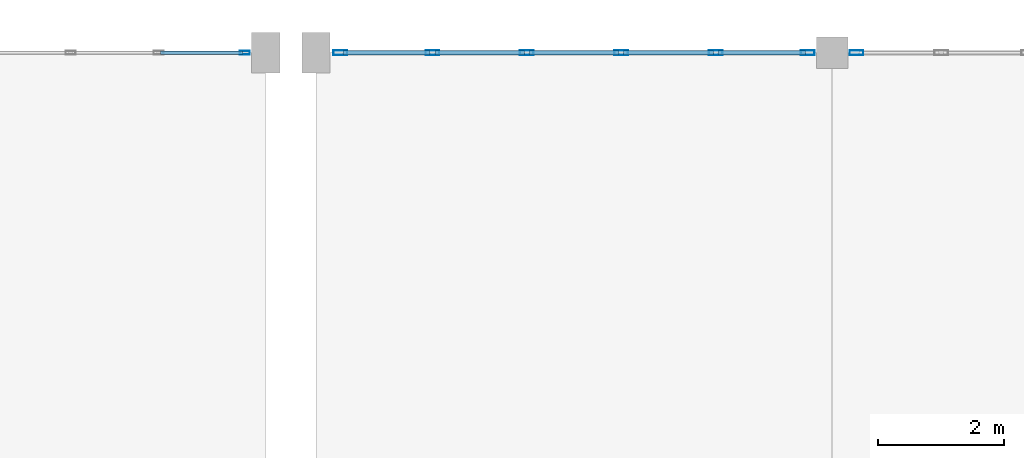
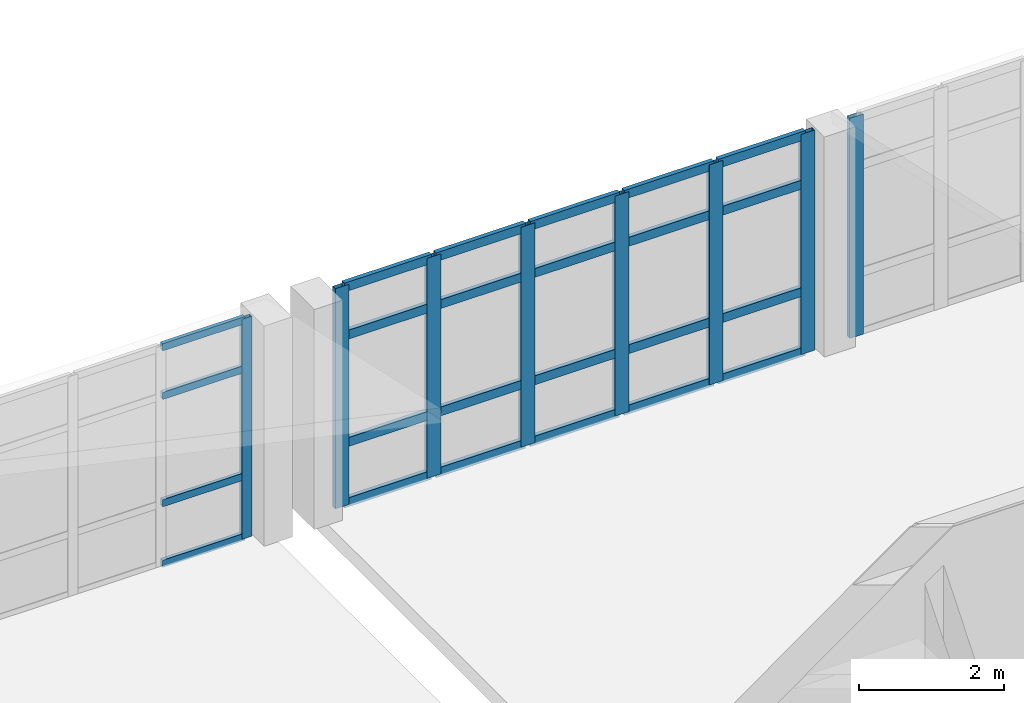
# One storey, part 54 of 156: 32 members, 3 elements without a shape of their own.
"""IFC4 building model written with IfcOpenShell, lengths in metres."""

import ifcopenshell
import ifcopenshell.guid

model = None  # the IFC model being written
_history = None  # IfcOwnerHistory: only IFC2X3 demands one
_inside = {}  # id of a spatial element -> (the spatial element, [elements in it])
_under = {}  # id of a project, library or spatial element -> (it, [spatial elements below it])
_declared = {}  # id of a project -> (the project, [libraries it declares])
_typed = {}  # id of a type object -> (the type object, [elements of that type])
_made_of = {}  # id of a material, layer set ... -> (it, [elements and type objects made of it])


def new_model(schema):
    """Start an empty IFC model of exactly this schema.

    Asked for "IFC4X3", IfcOpenShell would pick the latest addendum, in which some entities
    have other attributes; the version numbers below select the first issue.
    IFC2X3 requires an IfcOwnerHistory on every rooted entity: one is made here for all.
    """
    global model, _history
    if schema == "IFC4X3":
        model = ifcopenshell.file(schema_version=(4, 3, 0, 0))
    else:
        model = ifcopenshell.file(schema=schema)
    _inside.clear()
    _under.clear()
    _declared.clear()
    _typed.clear()
    _made_of.clear()
    _history = None
    if model.schema == "IFC2X3":
        org = make("IfcOrganization", Name="unknown")
        user = make(
            "IfcPersonAndOrganization",
            ThePerson=make("IfcPerson", FamilyName="unknown"),
            TheOrganization=org,
        )
        app = make(
            "IfcApplication",
            ApplicationDeveloper=org,
            Version="unknown",
            ApplicationFullName="unknown",
            ApplicationIdentifier="unknown",
        )
        _history = make(
            "IfcOwnerHistory",
            OwningUser=user,
            OwningApplication=app,
            ChangeAction="ADDED",
            CreationDate=0,
        )
    return model


def make(cls, **values):
    """One entity of the class cls with the attributes given. An attribute that is None is left unset."""
    return model.create_entity(
        cls, **{name: value for name, value in values.items() if value is not None}
    )


def rooted(cls, **values):
    """An entity with a GlobalId (a new one), such as an element, a storey or a relation."""
    return make(cls, GlobalId=ifcopenshell.guid.new(), OwnerHistory=_history, **values)


def si_unit(unit_type, name, prefix=None):
    """IfcSIUnit, for example si_unit("LENGTHUNIT", "METRE", prefix="MILLI")."""
    return make("IfcSIUnit", UnitType=unit_type, Prefix=prefix, Name=name)


def assignment(units):
    """IfcUnitAssignment: the units of a project."""
    return None if units is None else make("IfcUnitAssignment", Units=units)


def point(xyz):
    """IfcCartesianPoint."""
    return None if xyz is None else make("IfcCartesianPoint", Coordinates=xyz)


def direction(xyz):
    """IfcDirection."""
    return None if xyz is None else make("IfcDirection", DirectionRatios=xyz)


def frame(location, z_axis=None, x_axis=None):
    """IfcAxis2Placement3D, a coordinate frame: its origin and axes. An axis left out is left unset."""
    return make(
        "IfcAxis2Placement3D",
        Location=point(location),
        Axis=direction(z_axis),
        RefDirection=direction(x_axis),
    )


def frame_2d(location, x_axis=None):
    """IfcAxis2Placement2D, a coordinate frame in the plane: its origin and x axis."""
    return make(
        "IfcAxis2Placement2D", Location=point(location), RefDirection=direction(x_axis)
    )


def origin():
    """The frame at (0, 0, 0) with its axes left unset."""
    return frame((0.0, 0.0, 0.0))


def origin_2d():
    """The frame at (0, 0) in the plane with its x axis left unset."""
    return frame_2d((0.0, 0.0))


def place(relative_to, where):
    """IfcLocalPlacement: puts the frame where relative to a parent placement (None: the world)."""
    return make(
        "IfcLocalPlacement", PlacementRelTo=relative_to, RelativePlacement=where
    )


def context(
    kind, dimensions, precision=None, world=None, true_north=None, identifier=None
):
    """IfcGeometricRepresentationContext, for example the 3D "Model" context."""
    return make(
        "IfcGeometricRepresentationContext",
        ContextIdentifier=identifier,
        ContextType=kind,
        CoordinateSpaceDimension=dimensions,
        Precision=precision,
        WorldCoordinateSystem=world,
        TrueNorth=true_north,
    )


def subcontext(parent, identifier, kind, view, scale=None):
    """IfcGeometricRepresentationSubContext, for example "Body" below "Model"."""
    return make(
        "IfcGeometricRepresentationSubContext",
        ContextIdentifier=identifier,
        ContextType=kind,
        ParentContext=parent,
        TargetScale=scale,
        TargetView=view,
    )


def project(units=None, contexts=None):
    """IfcProject with its units and contexts."""
    return rooted(
        "IfcProject",
        Name="project",
        RepresentationContexts=contexts,
        UnitsInContext=assignment(units),
    )


def spatial(cls, under=None, at=None, **own):
    """A site, building, storey or space (cls), placed at a placement, below another one or the project."""
    s = rooted(cls, ObjectPlacement=at, **own)
    if under is not None:
        _under.setdefault(under.id(), (under, []))[1].append(s)
    return s


def profile(cls, at=None, kind="AREA", **sizes):
    """A parametric profile (cls). Its sizes go by their IFC names, for example OverallWidth=200.0."""
    return make(cls, ProfileType=kind, Position=at, **sizes)


def hollow_rectangle(**sizes):
    """IfcRectangleHollowProfileDef."""
    return profile("IfcRectangleHollowProfileDef", **sizes)


def extrude(swept, where, along, depth):
    """IfcExtrudedAreaSolid: the profile swept, set in the frame where, extruded along a direction by depth."""
    return make(
        "IfcExtrudedAreaSolid",
        SweptArea=swept,
        Position=where,
        ExtrudedDirection=direction(along),
        Depth=depth,
    )


def shape(context_of_items, identifier, shape_type, items):
    """IfcShapeRepresentation: the items that make up one representation, for example the "Body"."""
    return make(
        "IfcShapeRepresentation",
        ContextOfItems=context_of_items,
        RepresentationIdentifier=identifier,
        RepresentationType=shape_type,
        Items=items,
    )


def material(Name=None, Category=None):
    """IfcMaterial."""
    return make("IfcMaterial", Name=Name, Category=Category)


def layer(
    of_material, thickness, ventilated=None, Name=None, Category=None, Priority=None
):
    """IfcMaterialLayer: one layer of a wall or slab, of a material (None: an air gap)."""
    return make(
        "IfcMaterialLayer",
        Material=of_material,
        LayerThickness=thickness,
        IsVentilated=ventilated,
        Name=Name,
        Category=Category,
        Priority=Priority,
    )


def layer_set(layers, Name=None):
    """IfcMaterialLayerSet."""
    return make("IfcMaterialLayerSet", MaterialLayers=layers, LayerSetName=Name)


def material_profile(
    of_material, cross_section, Name=None, Category=None, Priority=None
):
    """IfcMaterialProfile: a cross section and its material."""
    return make(
        "IfcMaterialProfile",
        Name=Name,
        Material=of_material,
        Profile=cross_section,
        Priority=Priority,
        Category=Category,
    )


def profile_set(profiles, Name=None, composite=None):
    """IfcMaterialProfileSet."""
    return make(
        "IfcMaterialProfileSet",
        Name=Name,
        MaterialProfiles=profiles,
        CompositeProfile=composite,
    )


def made_of(thing, what):
    """Note that an element or type object is made of a material, layer set ...; save() writes the relation."""
    if what is not None:
        _made_of.setdefault(what.id(), (what, []))[1].append(thing)
    return thing


def type_object(cls, material=None, **own):
    """A type object (cls), such as IfcWallType, which elements share."""
    return made_of(rooted(cls, **own), material)


def element(
    cls,
    number,
    at=None,
    inside=None,
    cuts=None,
    type_object=None,
    material=None,
    context=None,
    identifier="Body",
    shape_type=None,
    held_by="IfcProductDefinitionShape",
    body=None,
    shapes=None,
    **own,
):
    """One element of the class cls, such as IfcWall. Its Tag is "e" and its number.

    at: its placement. inside: the storey or other place that contains it. cuts: it is an
    opening in that element (IfcRelVoidsElement). A single representation is given by context,
    identifier, shape_type and body (its items); several are given by shapes. held_by: the class
    of the entity that holds the representations. save() writes the other relations.
    """
    e = rooted(cls, Tag="e%d" % number, ObjectPlacement=at, **own)
    if body is not None:
        shapes = [shape(context, identifier, shape_type, body)]
    if shapes is not None:
        e.Representation = make(held_by, Representations=shapes)
    if inside is not None:
        _inside.setdefault(inside.id(), (inside, []))[1].append(e)
    if cuts is not None:
        rooted(
            "IfcRelVoidsElement", RelatingBuildingElement=cuts, RelatedOpeningElement=e
        )
    if type_object is not None:
        _typed.setdefault(type_object.id(), (type_object, []))[1].append(e)
    return made_of(e, material)


def aggregate(whole, parts):
    """IfcRelAggregates: a whole, such as a stair, and the parts it consists of."""
    return rooted("IfcRelAggregates", RelatingObject=whole, RelatedObjects=parts)


def save(model, path):
    """Write the relations noted so far, then the file.

    IfcRelAggregates (storeys below a building ...), IfcRelContainedInSpatialStructure (elements
    in a storey), IfcRelDefinesByType, IfcRelAssociatesMaterial and IfcRelDeclares: one each for
    every whole, place, type object, material and project.
    """
    for whole, parts in _under.values():
        aggregate(whole, parts)
    for where, things in _inside.values():
        rooted(
            "IfcRelContainedInSpatialStructure",
            RelatedElements=things,
            RelatingStructure=where,
        )
    for kind, things in _typed.values():
        rooted("IfcRelDefinesByType", RelatedObjects=things, RelatingType=kind)
    for what, things in _made_of.values():
        rooted("IfcRelAssociatesMaterial", RelatedObjects=things, RelatingMaterial=what)
    for by, libraries in _declared.values():
        rooted("IfcRelDeclares", RelatingContext=by, RelatedDefinitions=libraries)
    model.write(path)


model = new_model("IFC4")

# Units and contexts
model_context = context("Model", 3, precision=1e-05, world=origin(), true_north=direction((0.0, 1.0)))
body_context = subcontext(model_context, "Body", "Model", "MODEL_VIEW")
ifc_project = project(units=[si_unit("LENGTHUNIT", "METRE"), si_unit("AREAUNIT", "SQUARE_METRE"), si_unit("VOLUMEUNIT", "CUBIC_METRE"), si_unit("PLANEANGLEUNIT", "RADIAN"), si_unit("MASSUNIT", "GRAM", prefix="KILO")], contexts=[model_context])

# Site, building, storey
site_placement = place(None, origin())
site = spatial("IfcSite", under=ifc_project, at=site_placement, CompositionType="ELEMENT")
building_placement = place(site_placement, origin())
building = spatial("IfcBuilding", under=site, at=building_placement, Name="Ornek Quay Market", CompositionType="ELEMENT")
storey_placement = place(building_placement, frame((0.0, 0.0, 4.5)))
storey = spatial("IfcBuildingStorey", under=building, at=storey_placement, Name="L01", CompositionType="ELEMENT", Elevation=4.5)

# Curtain wall, member
ifc_material_1 = material(Name="Anodised bronze aluminium and triple low-e glass", Category="aluminium")
ifc_layer_1 = layer(ifc_material_1, 0.179931640625, Name="Anodised bronze aluminium and triple low-e glass", Category="aluminium")
ifc_layer_set_1 = layer_set([ifc_layer_1], Name="Anodised bronze aluminium and triple low-e glass")
curtain_wall_type_1 = type_object("IfcCurtainWallType", Name="CW-CONC-MOD1500", PredefinedType="USERDEFINED", material=ifc_layer_set_1)
curtain_wall_1_placement = place(storey_placement, origin())
curtain_wall_1 = element("IfcCurtainWall", 1, at=curtain_wall_1_placement, inside=storey, type_object=curtain_wall_type_1, Name="Curtain wall CW-021", ObjectType="CURTAIN WALL", PredefinedType="USERDEFINED")
ifc_material_2 = material(Name="Anodised aluminium 6063-T6", Category="aluminium")
ifc_material_profile_1 = material_profile(ifc_material_2, hollow_rectangle(XDim=0.06005859375, YDim=0.159912109375, WallThickness=0.00390625, at=origin_2d()), Name="CW-MUL-60x160", Category="aluminium")
ifc_profile_set_1 = profile_set([ifc_material_profile_1], Name="Anodised aluminium 6063-T6")
member_type_1 = type_object("IfcMemberType", Name="CW-MUL-60x160", PredefinedType="MULLION", material=ifc_profile_set_1)
member_1_placement = place(storey_placement, frame((53.669921875, 110.0, 0.0), z_axis=(0.0, 0.0, 1.0), x_axis=(0.0, 1.0, 0.0)))
member_1 = element("IfcMember", 2, at=member_1_placement, type_object=member_type_1, Name="CW-021 mullion 7", PredefinedType="MULLION", context=body_context, shape_type="SweptSolid", body=[
    extrude(hollow_rectangle(XDim=0.06005859375, YDim=0.159912109375, WallThickness=0.00390625, at=origin_2d()), origin(), (0.0, 0.0, 1.0), 3.7099609375),
])

# Curtain wall, members
ifc_layer_2 = layer(ifc_material_1, 0.219970703125, Name="Anodised bronze aluminium and triple low-e glass", Category="aluminium")
ifc_layer_set_2 = layer_set([ifc_layer_2], Name="Anodised bronze aluminium and triple low-e glass")
curtain_wall_type_2 = type_object("IfcCurtainWallType", Name="CW-PORCH-MOD1500", PredefinedType="USERDEFINED", material=ifc_layer_set_2)
curtain_wall_2_placement = place(storey_placement, origin())
curtain_wall_2 = element("IfcCurtainWall", 3, at=curtain_wall_2_placement, inside=storey, type_object=curtain_wall_type_2, Name="Curtain wall CW-049", ObjectType="CURTAIN WALL", PredefinedType="USERDEFINED")
ifc_material_profile_2 = material_profile(ifc_material_2, hollow_rectangle(XDim=0.074951171875, YDim=0.219970703125, WallThickness=0.0048828125, at=origin_2d()), Name="CW-MUL-75x220", Category="aluminium")
ifc_profile_set_2 = profile_set([ifc_material_profile_2], Name="Anodised aluminium 6063-T6")
member_type_2 = type_object("IfcMemberType", Name="CW-MUL-75x220", PredefinedType="MULLION", material=ifc_profile_set_2)
member_2_placement = place(storey_placement, frame((55.1875, 110.0, 0.0), z_axis=(0.0, 0.0, 1.0), x_axis=(0.0, 1.0, 0.0)))
member_2 = element("IfcMember", 4, at=member_2_placement, type_object=member_type_2, Name="CW-049 mullion 1", PredefinedType="MULLION", context=body_context, shape_type="SweptSolid", body=[
    extrude(hollow_rectangle(XDim=0.074951171875, YDim=0.219970703125, WallThickness=0.0048828125, at=origin_2d()), origin(), (0.0, 0.0, 1.0), 3.7099609375),
])
member_3_placement = place(storey_placement, frame((56.64990234375, 110.0, 0.0), z_axis=(0.0, 0.0, 1.0), x_axis=(0.0, 1.0, 0.0)))
member_3 = element("IfcMember", 5, at=member_3_placement, type_object=member_type_2, Name="CW-049 mullion 2", PredefinedType="MULLION", context=body_context, shape_type="SweptSolid", body=[
    extrude(hollow_rectangle(XDim=0.074951171875, YDim=0.219970703125, WallThickness=0.0048828125, at=origin_2d()), origin(), (0.0, 0.0, 1.0), 3.7099609375),
])
member_4_placement = place(storey_placement, frame((58.14990234375, 110.0, 0.0), z_axis=(0.0, 0.0, 1.0), x_axis=(0.0, 1.0, 0.0)))
member_4 = element("IfcMember", 6, at=member_4_placement, type_object=member_type_2, Name="CW-049 mullion 3", PredefinedType="MULLION", context=body_context, shape_type="SweptSolid", body=[
    extrude(hollow_rectangle(XDim=0.074951171875, YDim=0.219970703125, WallThickness=0.0048828125, at=origin_2d()), origin(), (0.0, 0.0, 1.0), 3.7099609375),
])
member_5_placement = place(storey_placement, frame((59.64990234375, 110.0, 0.0), z_axis=(0.0, 0.0, 1.0), x_axis=(0.0, 1.0, 0.0)))
member_5 = element("IfcMember", 7, at=member_5_placement, type_object=member_type_2, Name="CW-049 mullion 4", PredefinedType="MULLION", context=body_context, shape_type="SweptSolid", body=[
    extrude(hollow_rectangle(XDim=0.074951171875, YDim=0.219970703125, WallThickness=0.0048828125, at=origin_2d()), origin(), (0.0, 0.0, 1.0), 3.7099609375),
])
member_6_placement = place(storey_placement, frame((61.14990234375, 110.0, 0.0), z_axis=(0.0, 0.0, 1.0), x_axis=(0.0, 1.0, 0.0)))
member_6 = element("IfcMember", 8, at=member_6_placement, type_object=member_type_2, Name="CW-049 mullion 5", PredefinedType="MULLION", context=body_context, shape_type="SweptSolid", body=[
    extrude(hollow_rectangle(XDim=0.074951171875, YDim=0.219970703125, WallThickness=0.0048828125, at=origin_2d()), origin(), (0.0, 0.0, 1.0), 3.7099609375),
])
member_7_placement = place(storey_placement, frame((62.612548828125, 110.0, 0.0), z_axis=(0.0, 0.0, 1.0), x_axis=(0.0, 1.0, 0.0)))
member_7 = element("IfcMember", 9, at=member_7_placement, type_object=member_type_2, Name="CW-049 mullion 6", PredefinedType="MULLION", context=body_context, shape_type="SweptSolid", body=[
    extrude(hollow_rectangle(XDim=0.074951171875, YDim=0.219970703125, WallThickness=0.0048828125, at=origin_2d()), origin(), (0.0, 0.0, 1.0), 3.7099609375),
])

# Curtain wall, member
curtain_wall_3_placement = place(storey_placement, origin())
curtain_wall_3 = element("IfcCurtainWall", 10, at=curtain_wall_3_placement, inside=storey, type_object=curtain_wall_type_2, Name="Curtain wall CW-050", ObjectType="CURTAIN WALL", PredefinedType="USERDEFINED")
member_8_placement = place(storey_placement, frame((63.387451171875, 110.0, 0.0), z_axis=(0.0, 0.0, 1.0), x_axis=(0.0, 1.0, 0.0)))
member_8 = element("IfcMember", 11, at=member_8_placement, type_object=member_type_2, Name="CW-050 mullion 1", PredefinedType="MULLION", context=body_context, shape_type="SweptSolid", body=[
    extrude(hollow_rectangle(XDim=0.074951171875, YDim=0.219970703125, WallThickness=0.0048828125, at=origin_2d()), origin(), (0.0, 0.0, 1.0), 3.7099609375),
])
aggregate(curtain_wall_3, [member_8])

# Member
ifc_material_profile_3 = material_profile(ifc_material_2, hollow_rectangle(XDim=0.06005859375, YDim=0.1201171875, WallThickness=0.00390625, at=origin_2d()), Name="CW-TRN-60x120", Category="aluminium")
ifc_profile_set_3 = profile_set([ifc_material_profile_3], Name="Anodised aluminium 6063-T6")
member_type_3 = type_object("IfcMemberType", Name="CW-TRN-60x120", PredefinedType="USERDEFINED", material=ifc_profile_set_3)
member_9_placement = place(storey_placement, frame((52.330078125, 110.0, 0.030029296875), z_axis=(1.0, 0.0, 0.0), x_axis=(0.0, 1.0, 0.0)))
member_9 = element("IfcMember", 12, at=member_9_placement, type_object=member_type_3, Name="CW-021 transom 6.1", ObjectType="TRANSOM", PredefinedType="USERDEFINED", context=body_context, shape_type="SweptSolid", body=[
    extrude(hollow_rectangle(XDim=0.06005859375, YDim=0.1201171875, WallThickness=0.00390625, at=origin_2d()), origin(), (0.0, 0.0, 1.0), 1.309814453125),
])

member_10_placement = place(storey_placement, frame((52.330078125, 110.0, 1.050048828125), z_axis=(1.0, 0.0, 0.0), x_axis=(0.0, 1.0, 0.0)))
member_10 = element("IfcMember", 13, at=member_10_placement, type_object=member_type_3, Name="CW-021 transom 6.2", ObjectType="TRANSOM", PredefinedType="USERDEFINED", context=body_context, shape_type="SweptSolid", body=[
    extrude(hollow_rectangle(XDim=0.06005859375, YDim=0.1201171875, WallThickness=0.00390625, at=origin_2d()), origin(), (0.0, 0.0, 1.0), 1.309814453125),
])

member_11_placement = place(storey_placement, frame((52.330078125, 110.0, 2.860107421875), z_axis=(1.0, 0.0, 0.0), x_axis=(0.0, 1.0, 0.0)))
member_11 = element("IfcMember", 14, at=member_11_placement, type_object=member_type_3, Name="CW-021 transom 6.3", ObjectType="TRANSOM", PredefinedType="USERDEFINED", context=body_context, shape_type="SweptSolid", body=[
    extrude(hollow_rectangle(XDim=0.06005859375, YDim=0.1201171875, WallThickness=0.00390625, at=origin_2d()), origin(), (0.0, 0.0, 1.0), 1.309814453125),
])

member_12_placement = place(storey_placement, frame((52.330078125, 110.0, 3.679931640625), z_axis=(1.0, 0.0, 0.0), x_axis=(0.0, 1.0, 0.0)))
member_12 = element("IfcMember", 15, at=member_12_placement, type_object=member_type_3, Name="CW-021 transom 6.4", ObjectType="TRANSOM", PredefinedType="USERDEFINED", context=body_context, shape_type="SweptSolid", body=[
    extrude(hollow_rectangle(XDim=0.06005859375, YDim=0.1201171875, WallThickness=0.00390625, at=origin_2d()), origin(), (0.0, 0.0, 1.0), 1.309814453125),
])

aggregate(curtain_wall_1, [member_1, member_9, member_10, member_11, member_12])

ifc_material_profile_4 = material_profile(ifc_material_2, hollow_rectangle(XDim=0.070068359375, YDim=0.14990234375, WallThickness=0.0048828125, at=origin_2d()), Name="CW-TRN-70x150", Category="aluminium")
ifc_profile_set_4 = profile_set([ifc_material_profile_4], Name="Anodised aluminium 6063-T6")
member_type_4 = type_object("IfcMemberType", Name="CW-TRN-70x150", PredefinedType="USERDEFINED", material=ifc_profile_set_4)
member_13_placement = place(storey_placement, frame((55.22509765625, 110.0, 0.034912109375), z_axis=(1.0, 0.0, 0.0), x_axis=(0.0, 1.0, 0.0)))
member_13 = element("IfcMember", 16, at=member_13_placement, type_object=member_type_4, Name="CW-049 transom 1.1", ObjectType="TRANSOM", PredefinedType="USERDEFINED", context=body_context, shape_type="SweptSolid", body=[
    extrude(hollow_rectangle(XDim=0.070068359375, YDim=0.14990234375, WallThickness=0.0048828125, at=origin_2d()), origin(), (0.0, 0.0, 1.0), 1.387451171875),
])

member_14_placement = place(storey_placement, frame((55.22509765625, 110.0, 1.050048828125), z_axis=(1.0, 0.0, 0.0), x_axis=(0.0, 1.0, 0.0)))
member_14 = element("IfcMember", 17, at=member_14_placement, type_object=member_type_4, Name="CW-049 transom 1.2", ObjectType="TRANSOM", PredefinedType="USERDEFINED", context=body_context, shape_type="SweptSolid", body=[
    extrude(hollow_rectangle(XDim=0.070068359375, YDim=0.14990234375, WallThickness=0.0048828125, at=origin_2d()), origin(), (0.0, 0.0, 1.0), 1.387451171875),
])

member_15_placement = place(storey_placement, frame((55.22509765625, 110.0, 2.860107421875), z_axis=(1.0, 0.0, 0.0), x_axis=(0.0, 1.0, 0.0)))
member_15 = element("IfcMember", 18, at=member_15_placement, type_object=member_type_4, Name="CW-049 transom 1.3", ObjectType="TRANSOM", PredefinedType="USERDEFINED", context=body_context, shape_type="SweptSolid", body=[
    extrude(hollow_rectangle(XDim=0.070068359375, YDim=0.14990234375, WallThickness=0.0048828125, at=origin_2d()), origin(), (0.0, 0.0, 1.0), 1.387451171875),
])

member_16_placement = place(storey_placement, frame((55.22509765625, 110.0, 3.675048828125), z_axis=(1.0, 0.0, 0.0), x_axis=(0.0, 1.0, 0.0)))
member_16 = element("IfcMember", 19, at=member_16_placement, type_object=member_type_4, Name="CW-049 transom 1.4", ObjectType="TRANSOM", PredefinedType="USERDEFINED", context=body_context, shape_type="SweptSolid", body=[
    extrude(hollow_rectangle(XDim=0.070068359375, YDim=0.14990234375, WallThickness=0.0048828125, at=origin_2d()), origin(), (0.0, 0.0, 1.0), 1.387451171875),
])

member_17_placement = place(storey_placement, frame((56.6875, 110.0, 0.034912109375), z_axis=(1.0, 0.0, 0.0), x_axis=(0.0, 1.0, 0.0)))
member_17 = element("IfcMember", 20, at=member_17_placement, type_object=member_type_4, Name="CW-049 transom 2.1", ObjectType="TRANSOM", PredefinedType="USERDEFINED", context=body_context, shape_type="SweptSolid", body=[
    extrude(hollow_rectangle(XDim=0.070068359375, YDim=0.14990234375, WallThickness=0.0048828125, at=origin_2d()), origin(), (0.0, 0.0, 1.0), 1.425048828125),
])

member_18_placement = place(storey_placement, frame((56.6875, 110.0, 1.050048828125), z_axis=(1.0, 0.0, 0.0), x_axis=(0.0, 1.0, 0.0)))
member_18 = element("IfcMember", 21, at=member_18_placement, type_object=member_type_4, Name="CW-049 transom 2.2", ObjectType="TRANSOM", PredefinedType="USERDEFINED", context=body_context, shape_type="SweptSolid", body=[
    extrude(hollow_rectangle(XDim=0.070068359375, YDim=0.14990234375, WallThickness=0.0048828125, at=origin_2d()), origin(), (0.0, 0.0, 1.0), 1.425048828125),
])

member_19_placement = place(storey_placement, frame((56.6875, 110.0, 2.860107421875), z_axis=(1.0, 0.0, 0.0), x_axis=(0.0, 1.0, 0.0)))
member_19 = element("IfcMember", 22, at=member_19_placement, type_object=member_type_4, Name="CW-049 transom 2.3", ObjectType="TRANSOM", PredefinedType="USERDEFINED", context=body_context, shape_type="SweptSolid", body=[
    extrude(hollow_rectangle(XDim=0.070068359375, YDim=0.14990234375, WallThickness=0.0048828125, at=origin_2d()), origin(), (0.0, 0.0, 1.0), 1.425048828125),
])

member_20_placement = place(storey_placement, frame((56.6875, 110.0, 3.675048828125), z_axis=(1.0, 0.0, 0.0), x_axis=(0.0, 1.0, 0.0)))
member_20 = element("IfcMember", 23, at=member_20_placement, type_object=member_type_4, Name="CW-049 transom 2.4", ObjectType="TRANSOM", PredefinedType="USERDEFINED", context=body_context, shape_type="SweptSolid", body=[
    extrude(hollow_rectangle(XDim=0.070068359375, YDim=0.14990234375, WallThickness=0.0048828125, at=origin_2d()), origin(), (0.0, 0.0, 1.0), 1.425048828125),
])

member_21_placement = place(storey_placement, frame((58.1875, 110.0, 0.034912109375), z_axis=(1.0, 0.0, 0.0), x_axis=(0.0, 1.0, 0.0)))
member_21 = element("IfcMember", 24, at=member_21_placement, type_object=member_type_4, Name="CW-049 transom 3.1", ObjectType="TRANSOM", PredefinedType="USERDEFINED", context=body_context, shape_type="SweptSolid", body=[
    extrude(hollow_rectangle(XDim=0.070068359375, YDim=0.14990234375, WallThickness=0.0048828125, at=origin_2d()), origin(), (0.0, 0.0, 1.0), 1.425048828125),
])

member_22_placement = place(storey_placement, frame((58.1875, 110.0, 1.050048828125), z_axis=(1.0, 0.0, 0.0), x_axis=(0.0, 1.0, 0.0)))
member_22 = element("IfcMember", 25, at=member_22_placement, type_object=member_type_4, Name="CW-049 transom 3.2", ObjectType="TRANSOM", PredefinedType="USERDEFINED", context=body_context, shape_type="SweptSolid", body=[
    extrude(hollow_rectangle(XDim=0.070068359375, YDim=0.14990234375, WallThickness=0.0048828125, at=origin_2d()), origin(), (0.0, 0.0, 1.0), 1.425048828125),
])

member_23_placement = place(storey_placement, frame((58.1875, 110.0, 2.860107421875), z_axis=(1.0, 0.0, 0.0), x_axis=(0.0, 1.0, 0.0)))
member_23 = element("IfcMember", 26, at=member_23_placement, type_object=member_type_4, Name="CW-049 transom 3.3", ObjectType="TRANSOM", PredefinedType="USERDEFINED", context=body_context, shape_type="SweptSolid", body=[
    extrude(hollow_rectangle(XDim=0.070068359375, YDim=0.14990234375, WallThickness=0.0048828125, at=origin_2d()), origin(), (0.0, 0.0, 1.0), 1.425048828125),
])

member_24_placement = place(storey_placement, frame((58.1875, 110.0, 3.675048828125), z_axis=(1.0, 0.0, 0.0), x_axis=(0.0, 1.0, 0.0)))
member_24 = element("IfcMember", 27, at=member_24_placement, type_object=member_type_4, Name="CW-049 transom 3.4", ObjectType="TRANSOM", PredefinedType="USERDEFINED", context=body_context, shape_type="SweptSolid", body=[
    extrude(hollow_rectangle(XDim=0.070068359375, YDim=0.14990234375, WallThickness=0.0048828125, at=origin_2d()), origin(), (0.0, 0.0, 1.0), 1.425048828125),
])

member_25_placement = place(storey_placement, frame((59.6875, 110.0, 0.034912109375), z_axis=(1.0, 0.0, 0.0), x_axis=(0.0, 1.0, 0.0)))
member_25 = element("IfcMember", 28, at=member_25_placement, type_object=member_type_4, Name="CW-049 transom 4.1", ObjectType="TRANSOM", PredefinedType="USERDEFINED", context=body_context, shape_type="SweptSolid", body=[
    extrude(hollow_rectangle(XDim=0.070068359375, YDim=0.14990234375, WallThickness=0.0048828125, at=origin_2d()), origin(), (0.0, 0.0, 1.0), 1.425048828125),
])

member_26_placement = place(storey_placement, frame((59.6875, 110.0, 1.050048828125), z_axis=(1.0, 0.0, 0.0), x_axis=(0.0, 1.0, 0.0)))
member_26 = element("IfcMember", 29, at=member_26_placement, type_object=member_type_4, Name="CW-049 transom 4.2", ObjectType="TRANSOM", PredefinedType="USERDEFINED", context=body_context, shape_type="SweptSolid", body=[
    extrude(hollow_rectangle(XDim=0.070068359375, YDim=0.14990234375, WallThickness=0.0048828125, at=origin_2d()), origin(), (0.0, 0.0, 1.0), 1.425048828125),
])

member_27_placement = place(storey_placement, frame((59.6875, 110.0, 2.860107421875), z_axis=(1.0, 0.0, 0.0), x_axis=(0.0, 1.0, 0.0)))
member_27 = element("IfcMember", 30, at=member_27_placement, type_object=member_type_4, Name="CW-049 transom 4.3", ObjectType="TRANSOM", PredefinedType="USERDEFINED", context=body_context, shape_type="SweptSolid", body=[
    extrude(hollow_rectangle(XDim=0.070068359375, YDim=0.14990234375, WallThickness=0.0048828125, at=origin_2d()), origin(), (0.0, 0.0, 1.0), 1.425048828125),
])

member_28_placement = place(storey_placement, frame((59.6875, 110.0, 3.675048828125), z_axis=(1.0, 0.0, 0.0), x_axis=(0.0, 1.0, 0.0)))
member_28 = element("IfcMember", 31, at=member_28_placement, type_object=member_type_4, Name="CW-049 transom 4.4", ObjectType="TRANSOM", PredefinedType="USERDEFINED", context=body_context, shape_type="SweptSolid", body=[
    extrude(hollow_rectangle(XDim=0.070068359375, YDim=0.14990234375, WallThickness=0.0048828125, at=origin_2d()), origin(), (0.0, 0.0, 1.0), 1.425048828125),
])

member_29_placement = place(storey_placement, frame((61.1875, 110.0, 0.034912109375), z_axis=(1.0, 0.0, 0.0), x_axis=(0.0, 1.0, 0.0)))
member_29 = element("IfcMember", 32, at=member_29_placement, type_object=member_type_4, Name="CW-049 transom 5.1", ObjectType="TRANSOM", PredefinedType="USERDEFINED", context=body_context, shape_type="SweptSolid", body=[
    extrude(hollow_rectangle(XDim=0.070068359375, YDim=0.14990234375, WallThickness=0.0048828125, at=origin_2d()), origin(), (0.0, 0.0, 1.0), 1.387451171875),
])

member_30_placement = place(storey_placement, frame((61.1875, 110.0, 1.050048828125), z_axis=(1.0, 0.0, 0.0), x_axis=(0.0, 1.0, 0.0)))
member_30 = element("IfcMember", 33, at=member_30_placement, type_object=member_type_4, Name="CW-049 transom 5.2", ObjectType="TRANSOM", PredefinedType="USERDEFINED", context=body_context, shape_type="SweptSolid", body=[
    extrude(hollow_rectangle(XDim=0.070068359375, YDim=0.14990234375, WallThickness=0.0048828125, at=origin_2d()), origin(), (0.0, 0.0, 1.0), 1.387451171875),
])

member_31_placement = place(storey_placement, frame((61.1875, 110.0, 2.860107421875), z_axis=(1.0, 0.0, 0.0), x_axis=(0.0, 1.0, 0.0)))
member_31 = element("IfcMember", 34, at=member_31_placement, type_object=member_type_4, Name="CW-049 transom 5.3", ObjectType="TRANSOM", PredefinedType="USERDEFINED", context=body_context, shape_type="SweptSolid", body=[
    extrude(hollow_rectangle(XDim=0.070068359375, YDim=0.14990234375, WallThickness=0.0048828125, at=origin_2d()), origin(), (0.0, 0.0, 1.0), 1.387451171875),
])

member_32_placement = place(storey_placement, frame((61.1875, 110.0, 3.675048828125), z_axis=(1.0, 0.0, 0.0), x_axis=(0.0, 1.0, 0.0)))
member_32 = element("IfcMember", 35, at=member_32_placement, type_object=member_type_4, Name="CW-049 transom 5.4", ObjectType="TRANSOM", PredefinedType="USERDEFINED", context=body_context, shape_type="SweptSolid", body=[
    extrude(hollow_rectangle(XDim=0.070068359375, YDim=0.14990234375, WallThickness=0.0048828125, at=origin_2d()), origin(), (0.0, 0.0, 1.0), 1.387451171875),
])

aggregate(curtain_wall_2, [member_2, member_3, member_4, member_5, member_6, member_7, member_13, member_14, member_15, member_16, member_17, member_18, member_19, member_20, member_21, member_22, member_23, member_24, member_25, member_26, member_27, member_28, member_29, member_30, member_31, member_32])

save(model, "model.ifc")
